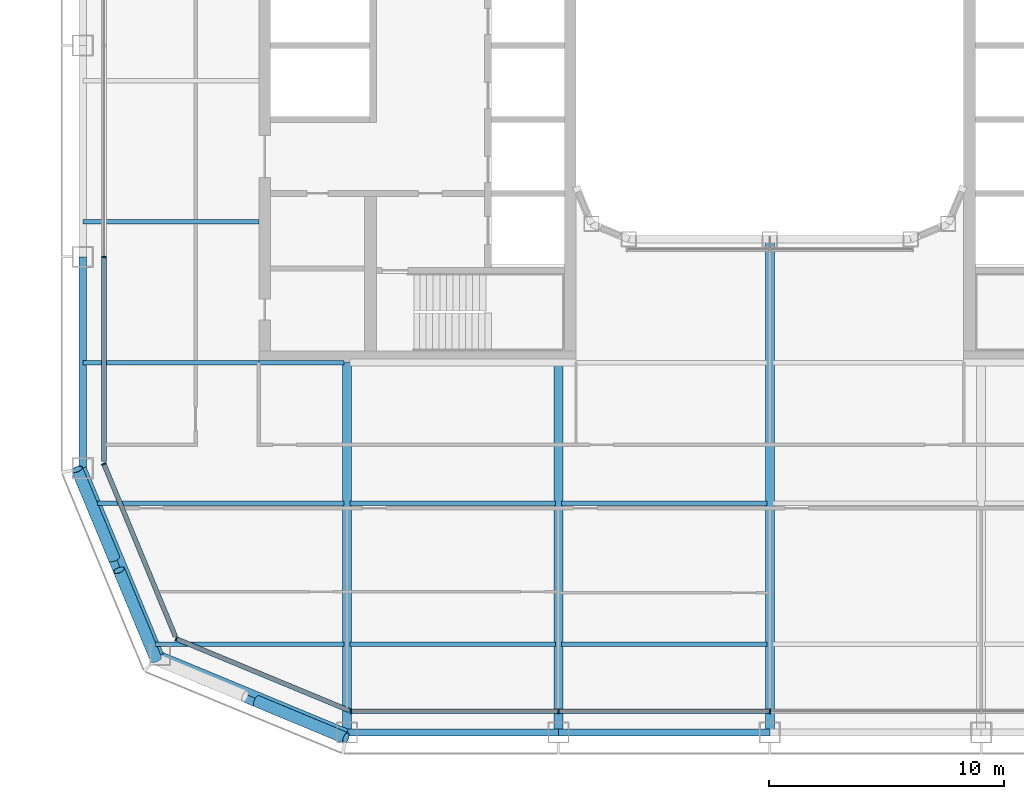
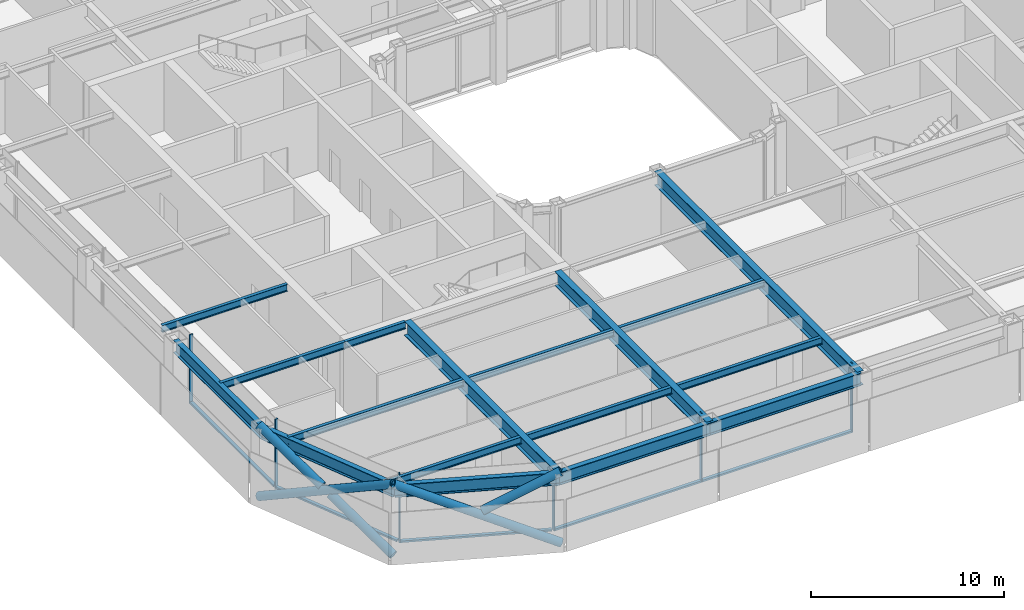
# One storey, part 2 of 23: 17 beams, 16 members, 4 elements without a shape of their own.
"""IFC4 building model written with IfcOpenShell, lengths in metres."""

from ifc_helpers import new_model, si_unit, direction, frame, origin, origin_2d, place, context, subcontext, project, spatial, rectangle, hollow_circle, i_section, extrude, material, layer, layer_set, material_profile, profile_set, type_object, element, aggregate, save


model = new_model("IFC4")

# Units and contexts
model_context = context("Model", 3, precision=1e-05, world=origin(), true_north=direction((0.0, 1.0)))
body_context = subcontext(model_context, "Body", "Model", "MODEL_VIEW")
ifc_project = project(units=[si_unit("LENGTHUNIT", "METRE"), si_unit("AREAUNIT", "SQUARE_METRE"), si_unit("VOLUMEUNIT", "CUBIC_METRE"), si_unit("PLANEANGLEUNIT", "RADIAN"), si_unit("MASSUNIT", "GRAM", prefix="KILO")], contexts=[model_context])

# Site, building, storey
site_placement = place(None, origin())
site = spatial("IfcSite", under=ifc_project, at=site_placement, CompositionType="ELEMENT")
building_placement = place(site_placement, origin())
building = spatial("IfcBuilding", under=site, at=building_placement, Name="Siwar Civic Tower", CompositionType="ELEMENT")
storey_placement = place(building_placement, frame((0.0, 0.0, 154.199951171875)))
storey = spatial("IfcBuildingStorey", under=building, at=storey_placement, Name="L33", CompositionType="ELEMENT", Elevation=154.199951171875)

# Curtain wall, members
ifc_material_1 = material(Name="Aluminium and glass", Category="aluminium")
ifc_layer_1 = layer(ifc_material_1, 0.199951171875)
ifc_layer_set_1 = layer_set([ifc_layer_1], Name="Aluminium and glass")
curtain_wall_type_1 = type_object("IfcCurtainWallType", Name="ENV-CW-B", PredefinedType="NOTDEFINED", material=ifc_layer_set_1)
curtain_wall_1_placement = place(storey_placement, origin())
curtain_wall_1 = element("IfcCurtainWall", 1, at=curtain_wall_1_placement, inside=storey, type_object=curtain_wall_type_1, Name="Curtain wall B S", PredefinedType="NOTDEFINED")
ifc_material_2 = material(Name="Aluminium 6063-T6", Category="aluminium")
ifc_material_profile_1 = material_profile(ifc_material_2, rectangle(XDim=0.199951171875, YDim=0.06494140625, at=origin_2d()), Name="AL 200x65")
ifc_profile_set_1 = profile_set([ifc_material_profile_1], Name="Aluminium 6063-T6")
member_type_1 = type_object("IfcMemberType", Name="ENV-MULLION-B", PredefinedType="MULLION", material=ifc_profile_set_1)
member_1_placement = place(storey_placement, frame((-17.821044921875, -28.35009765625, 0.0), z_axis=(0.0, 0.0, 1.0), x_axis=(0.0, 1.0, 0.0)))
member_1 = element("IfcMember", 2, at=member_1_placement, type_object=member_type_1, Name="Mullion B S 1", PredefinedType="MULLION", context=body_context, shape_type="SweptSolid", body=[
    extrude(rectangle(XDim=0.199951171875, YDim=0.06494140625, at=origin_2d()), origin(), (0.0, 0.0, 1.0), 4.35009765625),
])
member_2_placement = place(storey_placement, frame((-9.0, -28.35009765625, 0.0), z_axis=(0.0, 0.0, 1.0), x_axis=(0.0, 1.0, 0.0)))
member_2 = element("IfcMember", 3, at=member_2_placement, type_object=member_type_1, Name="Mullion B S 2", PredefinedType="MULLION", context=body_context, shape_type="SweptSolid", body=[
    extrude(rectangle(XDim=0.199951171875, YDim=0.06494140625, at=origin_2d()), origin(), (0.0, 0.0, 1.0), 4.35009765625),
])
member_3_placement = place(storey_placement, frame((0.0, -28.35009765625, 0.0), z_axis=(0.0, 0.0, 1.0), x_axis=(0.0, 1.0, 0.0)))
member_3 = element("IfcMember", 4, at=member_3_placement, type_object=member_type_1, Name="Mullion B S 3", PredefinedType="MULLION", context=body_context, shape_type="SweptSolid", body=[
    extrude(rectangle(XDim=0.199951171875, YDim=0.06494140625, at=origin_2d()), origin(), (0.0, 0.0, 1.0), 4.35009765625),
])

# Curtain wall, member
curtain_wall_2_placement = place(storey_placement, origin())
curtain_wall_2 = element("IfcCurtainWall", 5, at=curtain_wall_2_placement, inside=storey, type_object=curtain_wall_type_1, Name="Curtain wall B W", PredefinedType="NOTDEFINED")
member_4_placement = place(storey_placement, frame((-28.35009765625, -9.0, 0.0), z_axis=(0.0, 0.0, 1.0), x_axis=(1.0, 0.0, 0.0)))
member_4 = element("IfcMember", 6, at=member_4_placement, type_object=member_type_1, Name="Mullion B W 4", PredefinedType="MULLION", context=body_context, shape_type="SweptSolid", body=[
    extrude(rectangle(XDim=0.199951171875, YDim=0.06494140625, at=origin_2d()), origin(), (0.0, 0.0, 1.0), 4.35009765625),
])

ifc_material_3 = material(Name="Aluminium clad insulated panel", Category="aluminium")
ifc_layer_2 = layer(ifc_material_3, 0.199951171875)
ifc_layer_set_2 = layer_set([ifc_layer_2], Name="Aluminium clad insulated panel")
curtain_wall_type_2 = type_object("IfcCurtainWallType", Name="ENV-CW-BX", PredefinedType="NOTDEFINED", material=ifc_layer_set_2)
curtain_wall_3_placement = place(storey_placement, origin())
curtain_wall_3 = element("IfcCurtainWall", 7, at=curtain_wall_3_placement, inside=storey, type_object=curtain_wall_type_2, Name="Curtain wall B SW1", PredefinedType="NOTDEFINED")
member_5_placement = place(storey_placement, frame((-28.35009765625, -17.821044921875, 0.0), z_axis=(0.0, 0.0, 1.0), x_axis=(0.923879532511, 0.382683432365, 0.0)))
member_5 = element("IfcMember", 8, at=member_5_placement, type_object=member_type_1, Name="Mullion B SW1 1", PredefinedType="MULLION", context=body_context, shape_type="SweptSolid", body=[
    extrude(rectangle(XDim=0.199951171875, YDim=0.06494140625, at=origin_2d()), origin(), (0.0, 0.0, 1.0), 4.35009765625),
])

curtain_wall_4_placement = place(storey_placement, origin())
curtain_wall_4 = element("IfcCurtainWall", 9, at=curtain_wall_4_placement, inside=storey, type_object=curtain_wall_type_2, Name="Curtain wall B SW2", PredefinedType="NOTDEFINED")
member_6_placement = place(storey_placement, frame((-25.26611328125, -25.26611328125, 0.0), z_axis=(0.0, 0.0, 1.0), x_axis=(0.382683432365, 0.923879532511, 0.0)))
member_6 = element("IfcMember", 10, at=member_6_placement, type_object=member_type_1, Name="Mullion B SW2 1", PredefinedType="MULLION", context=body_context, shape_type="SweptSolid", body=[
    extrude(rectangle(XDim=0.199951171875, YDim=0.06494140625, at=origin_2d()), origin(), (0.0, 0.0, 1.0), 4.35009765625),
])

# Member
ifc_material_4 = material(Name="Aluminium 6063-T6", Category="aluminium")
ifc_material_profile_2 = material_profile(ifc_material_4, rectangle(XDim=0.199951171875, YDim=0.110107421875, at=origin_2d()), Name="AL 200x110")
ifc_profile_set_2 = profile_set([ifc_material_profile_2], Name="Aluminium 6063-T6")
member_type_2 = type_object("IfcMemberType", Name="ENV-TRANSOM-B", PredefinedType="USERDEFINED", material=ifc_profile_set_2)
member_7_placement = place(storey_placement, frame((-17.78857421875, -28.35009765625, 0.054931640625), z_axis=(1.0, 0.0, 0.0), x_axis=(0.0, 1.0, 0.0)))
member_7 = element("IfcMember", 11, at=member_7_placement, type_object=member_type_2, Name="Transom B S 1", ObjectType="TRANSOM", PredefinedType="USERDEFINED", context=body_context, shape_type="SweptSolid", body=[
    extrude(rectangle(XDim=0.199951171875, YDim=0.110107421875, at=origin_2d()), origin(), (0.0, 0.0, 1.0), 8.756103515625),
])

member_8_placement = place(storey_placement, frame((-8.967529296875, -28.35009765625, 0.054931640625), z_axis=(1.0, 0.0, 0.0), x_axis=(0.0, 1.0, 0.0)))
member_8 = element("IfcMember", 12, at=member_8_placement, type_object=member_type_2, Name="Transom B S 2", ObjectType="TRANSOM", PredefinedType="USERDEFINED", context=body_context, shape_type="SweptSolid", body=[
    extrude(rectangle(XDim=0.199951171875, YDim=0.110107421875, at=origin_2d()), origin(), (0.0, 0.0, 1.0), 8.93505859375),
])

aggregate(curtain_wall_1, [member_1, member_2, member_3, member_7, member_8])

member_9_placement = place(storey_placement, frame((-28.35009765625, -9.032470703125, 0.054931640625), z_axis=(0.0, -1.0, 0.0), x_axis=(1.0, 0.0, 0.0)))
member_9 = element("IfcMember", 13, at=member_9_placement, type_object=member_type_2, Name="Transom B W 4", ObjectType="TRANSOM", PredefinedType="USERDEFINED", context=body_context, shape_type="SweptSolid", body=[
    extrude(rectangle(XDim=0.199951171875, YDim=0.110107421875, at=origin_2d()), origin(), (0.0, 0.0, 1.0), 8.6748046875),
])

aggregate(curtain_wall_2, [member_4, member_9])

member_10_placement = place(storey_placement, frame((-28.337646484375, -17.85107421875, 0.054931640625), z_axis=(0.382699695651, -0.92387279587, 0.0), x_axis=(0.92387279587, 0.382699695651, 0.0)))
member_10 = element("IfcMember", 14, at=member_10_placement, type_object=member_type_2, Name="Transom B SW1 1", ObjectType="TRANSOM", PredefinedType="USERDEFINED", context=body_context, shape_type="SweptSolid", body=[
    extrude(rectangle(XDim=0.199951171875, YDim=0.110107421875, at=origin_2d()), origin(), (0.0, 0.0, 1.0), 7.912353515625),
])

aggregate(curtain_wall_3, [member_5, member_10])

member_11_placement = place(storey_placement, frame((-25.236083984375, -25.278564453125, 0.054931640625), z_axis=(0.923883705044, -0.382673358825, 0.0), x_axis=(0.382673358825, 0.923883705044, 0.0)))
member_11 = element("IfcMember", 15, at=member_11_placement, type_object=member_type_2, Name="Transom B SW2 1", ObjectType="TRANSOM", PredefinedType="USERDEFINED", context=body_context, shape_type="SweptSolid", body=[
    extrude(rectangle(XDim=0.199951171875, YDim=0.110107421875, at=origin_2d()), origin(), (0.0, 0.0, 1.0), 7.912353515625),
])

aggregate(curtain_wall_4, [member_6, member_11])

# Members
ifc_material_5 = material(Name="Steel S355", Category="steel")
ifc_material_profile_3 = material_profile(ifc_material_5, hollow_circle(Radius=0.25390625, WallThickness=0.02490234375, at=origin_2d()), Name="CHS508x25")
ifc_profile_set_3 = profile_set([ifc_material_profile_3], Name="Steel S355")
member_type_3 = type_object("IfcMemberType", Name="STR-BR-CHS508x25", PredefinedType="BRACE", material=ifc_profile_set_3)
member_12_placement = place(storey_placement, frame((-18.048828125, -29.4951171875, 0.0), z_axis=(-0.821142553604, 0.341671493852, 0.457149315816), x_axis=(-0.384163874976, -0.923264922524, 0.0)))
element("IfcMember", 16, at=member_12_placement, inside=storey, type_object=member_type_3, Name="L33/brc/BSW1-12-0-1", PredefinedType="BRACE", context=body_context, shape_type="SweptSolid", body=[
    extrude(hollow_circle(Radius=0.25390625, WallThickness=0.02490234375, at=origin_2d()), origin(), (0.0, 0.0, 1.0), 9.843505859375),
])
member_13_placement = place(storey_placement, frame((-21.837890625, -27.91845703125, 2.390625), z_axis=(0.821145902409, -0.34168558233, 0.457132770413), x_axis=(0.384176042158, 0.923259859753, 0.0)))
element("IfcMember", 17, at=member_13_placement, inside=storey, type_object=member_type_3, Name="L33/brc/BSW1-12-0-3", PredefinedType="BRACE", context=body_context, shape_type="SweptSolid", body=[
    extrude(hollow_circle(Radius=0.25390625, WallThickness=0.02490234375, at=origin_2d()), origin(), (0.0, 0.0, 1.0), 4.6142578125),
])
member_14_placement = place(storey_placement, frame((-29.4951171875, -18.048828125, 0.0), z_axis=(0.341671493852, -0.821142553604, 0.457149315816), x_axis=(0.923264922524, 0.384163874976, 0.0)))
element("IfcMember", 18, at=member_14_placement, inside=storey, type_object=member_type_3, Name="L33/brc/BSW1-12-0-0", PredefinedType="BRACE", context=body_context, shape_type="SweptSolid", body=[
    extrude(hollow_circle(Radius=0.25390625, WallThickness=0.02490234375, at=origin_2d()), origin(), (0.0, 0.0, 1.0), 9.843505859375),
])
member_15_placement = place(storey_placement, frame((-26.1318359375, -26.1318359375, 0.0), z_axis=(-0.341662474736, 0.821143275065, 0.457154760636), x_axis=(-0.923268638995, -0.384154943021, 0.0)))
element("IfcMember", 19, at=member_15_placement, inside=storey, type_object=member_type_3, Name="L33/brc/BSW1-12-0-4", PredefinedType="BRACE", context=body_context, shape_type="SweptSolid", body=[
    extrude(hollow_circle(Radius=0.25390625, WallThickness=0.02490234375, at=origin_2d()), origin(), (0.0, 0.0, 1.0), 4.61474609375),
])
member_16_placement = place(storey_placement, frame((-27.91845703125, -21.837890625, 2.390625), z_axis=(-0.34168558233, 0.821145902409, 0.457132770413), x_axis=(-0.923259859753, -0.384176042158, 0.0)))
element("IfcMember", 20, at=member_16_placement, inside=storey, type_object=member_type_3, Name="L33/brc/BSW1-12-0-5", PredefinedType="BRACE", context=body_context, shape_type="SweptSolid", body=[
    extrude(hollow_circle(Radius=0.25390625, WallThickness=0.02490234375, at=origin_2d()), origin(), (0.0, 0.0, 1.0), 4.6142578125),
])

# Beams
ifc_material_6 = material(Name="Steel S355", Category="steel")
ifc_material_profile_4 = material_profile(ifc_material_6, i_section(OverallWidth=0.18994140625, OverallDepth=0.449951171875, WebThickness=0.009521484375, FlangeThickness=0.0146484375, FilletRadius=0.02099609375, at=origin_2d()), Name="IPE450")
ifc_profile_set_4 = profile_set([ifc_material_profile_4], Name="Steel S355")
beam_type_1 = type_object("IfcBeamType", Name="STR-FB-IPE450", PredefinedType="JOIST", material=ifc_profile_set_4)
beam_1_placement = place(storey_placement, frame((-26.143310546875, -25.5, 4.125), z_axis=(1.0, 0.0, 0.0), x_axis=(0.0, 1.0, 0.0)))
element("IfcBeam", 21, at=beam_1_placement, inside=storey, type_object=beam_type_1, Name="L33/bm/F001", PredefinedType="JOIST", context=body_context, shape_type="SweptSolid", body=[
    extrude(i_section(OverallWidth=0.18994140625, OverallDepth=0.449951171875, WebThickness=0.009521484375, FlangeThickness=0.0146484375, FilletRadius=0.02099609375, at=origin_2d()), origin(), (0.0, 0.0, 1.0), 8.013427734375),
])
for number, where, z_axis, x_axis, name in (
    (22, (-17.8701171875, -25.5, 4.125), (1.0, 0.0, 0.0), (0.0, 1.0, 0.0), "L33/bm/F002"),
    (23, (-8.8701171875, -25.5, 4.125), (1.0, 0.0, 0.0), (0.0, 1.0, 0.0), "L33/bm/F003"),
):
    element("IfcBeam", number, at=place(storey_placement, frame(where, z_axis=z_axis, x_axis=x_axis)), inside=storey, type_object=beam_type_1, Name=name, PredefinedType="JOIST", context=body_context, shape_type="SweptSolid", body=[
        extrude(i_section(OverallWidth=0.18994140625, OverallDepth=0.449951171875, WebThickness=0.009521484375, FlangeThickness=0.0146484375, FilletRadius=0.02099609375, at=origin_2d()), origin(), (0.0, 0.0, 1.0), 8.740234375),
    ])
beam_2_placement = place(storey_placement, frame((-28.628662109375, -19.5, 4.125), z_axis=(1.0, 0.0, 0.0), x_axis=(0.0, 1.0, 0.0)))
element("IfcBeam", 24, at=beam_2_placement, inside=storey, type_object=beam_type_1, Name="L33/bm/F007", PredefinedType="JOIST", context=body_context, shape_type="SweptSolid", body=[
    extrude(i_section(OverallWidth=0.18994140625, OverallDepth=0.449951171875, WebThickness=0.009521484375, FlangeThickness=0.0146484375, FilletRadius=0.02099609375, at=origin_2d()), origin(), (0.0, 0.0, 1.0), 10.498779296875),
])
for number, where, z_axis, x_axis, name in (
    (25, (-17.8701171875, -19.5, 4.125), (1.0, 0.0, 0.0), (0.0, 1.0, 0.0), "L33/bm/F008"),
    (26, (-8.8701171875, -19.5, 4.125), (1.0, 0.0, 0.0), (0.0, 1.0, 0.0), "L33/bm/F009"),
):
    element("IfcBeam", number, at=place(storey_placement, frame(where, z_axis=z_axis, x_axis=x_axis)), inside=storey, type_object=beam_type_1, Name=name, PredefinedType="JOIST", context=body_context, shape_type="SweptSolid", body=[
        extrude(i_section(OverallWidth=0.18994140625, OverallDepth=0.449951171875, WebThickness=0.009521484375, FlangeThickness=0.0146484375, FilletRadius=0.02099609375, at=origin_2d()), origin(), (0.0, 0.0, 1.0), 8.740234375),
    ])
beam_3_placement = place(storey_placement, frame((-29.25, -13.5, 4.125), z_axis=(1.0, 0.0, 0.0), x_axis=(0.0, 1.0, 0.0)))
element("IfcBeam", 27, at=beam_3_placement, inside=storey, type_object=beam_type_1, Name="L33/bm/F013", PredefinedType="JOIST", context=body_context, shape_type="SweptSolid", body=[
    extrude(i_section(OverallWidth=0.18994140625, OverallDepth=0.449951171875, WebThickness=0.009521484375, FlangeThickness=0.0146484375, FilletRadius=0.02099609375, at=origin_2d()), origin(), (0.0, 0.0, 1.0), 7.5),
])
beam_4_placement = place(storey_placement, frame((-21.75, -13.5, 4.125), z_axis=(1.0, 0.0, 0.0), x_axis=(0.0, 1.0, 0.0)))
element("IfcBeam", 28, at=beam_4_placement, inside=storey, type_object=beam_type_1, Name="L33/bm/F014", PredefinedType="JOIST", context=body_context, shape_type="SweptSolid", body=[
    extrude(i_section(OverallWidth=0.18994140625, OverallDepth=0.449951171875, WebThickness=0.009521484375, FlangeThickness=0.0146484375, FilletRadius=0.02099609375, at=origin_2d()), origin(), (0.0, 0.0, 1.0), 3.6201171875),
])
beam_5_placement = place(storey_placement, frame((-29.25, -7.5, 4.125), z_axis=(1.0, 0.0, 0.0), x_axis=(0.0, 1.0, 0.0)))
element("IfcBeam", 29, at=beam_5_placement, inside=storey, type_object=beam_type_1, Name="L33/bm/F021", PredefinedType="JOIST", context=body_context, shape_type="SweptSolid", body=[
    extrude(i_section(OverallWidth=0.18994140625, OverallDepth=0.449951171875, WebThickness=0.009521484375, FlangeThickness=0.0146484375, FilletRadius=0.02099609375, at=origin_2d()), origin(), (0.0, 0.0, 1.0), 7.5),
])
ifc_material_7 = material(Name="Steel S355", Category="steel")
ifc_material_profile_5 = material_profile(ifc_material_7, i_section(OverallWidth=0.3798828125, OverallDepth=0.89990234375, WebThickness=0.01611328125, FlangeThickness=0.035888671875, at=origin_2d()), Name="PG900x380x16x36")
ifc_profile_set_5 = profile_set([ifc_material_profile_5], Name="Steel S355")
beam_type_2 = type_object("IfcBeamType", Name="STR-PG-PG900x380x16x36", PredefinedType="BEAM", material=ifc_profile_set_5)
for number, where, z_axis, x_axis, name in (
    (30, (-18.0, -29.25, 3.900146484375), (0.0, 1.0, 0.0), (-1.0, 0.0, 0.0), "L33/bm/G01"),
    (31, (-9.0, -29.25, 3.900146484375), (0.0, 1.0, 0.0), (-1.0, 0.0, 0.0), "L33/bm/G03"),
):
    element("IfcBeam", number, at=place(storey_placement, frame(where, z_axis=z_axis, x_axis=x_axis)), inside=storey, type_object=beam_type_2, Name=name, PredefinedType="BEAM", context=body_context, shape_type="SweptSolid", body=[
        extrude(i_section(OverallWidth=0.3798828125, OverallDepth=0.89990234375, WebThickness=0.01611328125, FlangeThickness=0.035888671875, at=origin_2d()), origin(), (0.0, 0.0, 1.0), 15.75),
    ])
beam_6_placement = place(storey_placement, frame((0.0, -29.25, 3.900146484375), z_axis=(0.0, 1.0, 0.0), x_axis=(-1.0, 0.0, 0.0)))
element("IfcBeam", 32, at=beam_6_placement, inside=storey, type_object=beam_type_2, Name="L33/bm/G05", PredefinedType="BEAM", context=body_context, shape_type="SweptSolid", body=[
    extrude(i_section(OverallWidth=0.3798828125, OverallDepth=0.89990234375, WebThickness=0.01611328125, FlangeThickness=0.035888671875, at=origin_2d()), origin(), (0.0, 0.0, 1.0), 21.0),
])
ifc_material_8 = material(Name="Steel S355", Category="steel")
ifc_material_profile_6 = material_profile(ifc_material_8, i_section(OverallWidth=0.300048828125, OverallDepth=0.800048828125, WebThickness=0.017578125, FlangeThickness=0.032958984375, FilletRadius=0.030029296875, at=origin_2d()), Name="HEB800")
ifc_profile_set_6 = profile_set([ifc_material_profile_6], Name="Steel S355")
beam_type_3 = type_object("IfcBeamType", Name="STR-SB-HEB800", PredefinedType="BEAM", material=ifc_profile_set_6)
for number, where, z_axis, x_axis, name in (
    (33, (-18.0, -29.25, 3.949951171875), (1.0, 0.0, 0.0), (0.0, 1.0, 0.0), "L33/bm/SS-0"),
    (34, (-9.0, -29.25, 3.949951171875), (1.0, 0.0, 0.0), (0.0, 1.0, 0.0), "L33/bm/SS-1"),
    (35, (-29.25, -9.0, 3.949951171875), (0.0, -1.0, 0.0), (1.0, 0.0, 0.0), "L33/bm/SW-3"),
):
    element("IfcBeam", number, at=place(storey_placement, frame(where, z_axis=z_axis, x_axis=x_axis)), inside=storey, type_object=beam_type_3, Name=name, PredefinedType="BEAM", context=body_context, shape_type="SweptSolid", body=[
        extrude(i_section(OverallWidth=0.300048828125, OverallDepth=0.800048828125, WebThickness=0.017578125, FlangeThickness=0.032958984375, FilletRadius=0.030029296875, at=origin_2d()), origin(), (0.0, 0.0, 1.0), 9.0),
    ])
for number, where, z_axis, x_axis, name in (
    (36, (-29.25, -18.0, 3.949951171875), (0.382699877515, -0.923872720536, 0.0), (0.923872720536, 0.382699877515, 0.0), "L33/bm/SSW1-0"),
    (37, (-25.954833984375, -25.954833984375, 3.949951171875), (0.923872720536, -0.382699877515, 0.0), (0.382699877515, 0.923872720536, 0.0), "L33/bm/SSW2-0"),
):
    element("IfcBeam", number, at=place(storey_placement, frame(where, z_axis=z_axis, x_axis=x_axis)), inside=storey, type_object=beam_type_3, Name=name, PredefinedType="BEAM", context=body_context, shape_type="SweptSolid", body=[
        extrude(i_section(OverallWidth=0.300048828125, OverallDepth=0.800048828125, WebThickness=0.017578125, FlangeThickness=0.032958984375, FilletRadius=0.030029296875, at=origin_2d()), origin(), (0.0, 0.0, 1.0), 8.6103515625),
    ])

save(model, "model.ifc")
